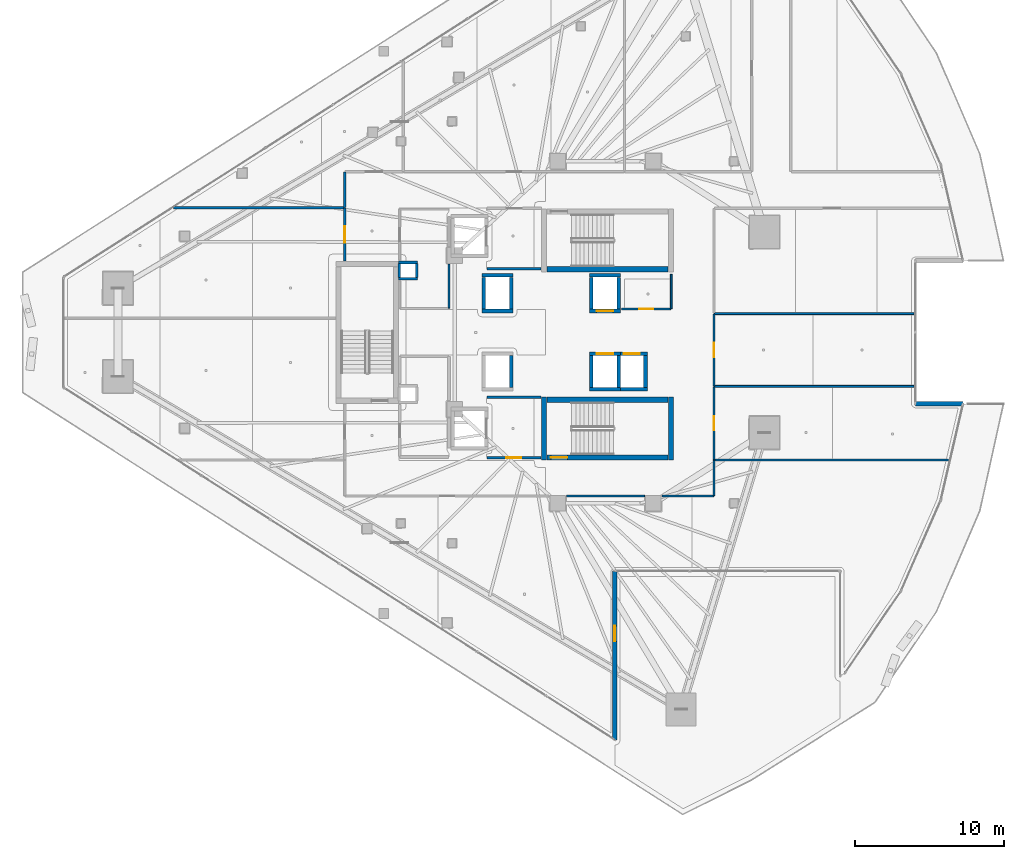
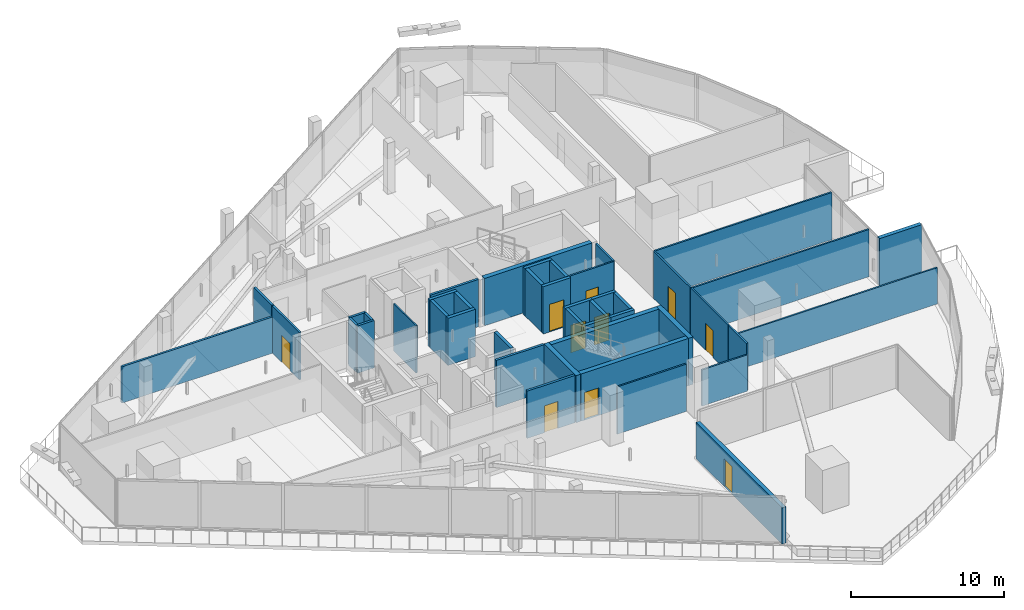
# One storey, part 31 of 43: 44 walls, 10 doors, 10 openings.
"""IFC4 building model written with IfcOpenShell, lengths in metres."""

from ifc_helpers import new_model, si_unit, direction, frame, frame_2d, origin, place, context, subcontext, project, spatial, rectangle, extrude, material, layer, layer_set, type_object, element, fill, save


model = new_model("IFC4")

# Units and contexts
model_context = context("Model", 3, precision=1e-05, world=origin(), true_north=direction((0.0, 1.0)))
body_context = subcontext(model_context, "Body", "Model", "MODEL_VIEW")
ifc_project = project(units=[si_unit("LENGTHUNIT", "METRE"), si_unit("AREAUNIT", "SQUARE_METRE"), si_unit("VOLUMEUNIT", "CUBIC_METRE"), si_unit("PLANEANGLEUNIT", "RADIAN"), si_unit("MASSUNIT", "GRAM", prefix="KILO")], contexts=[model_context])

# Site, building, storey
site_placement = place(None, origin())
site = spatial("IfcSite", under=ifc_project, at=site_placement, CompositionType="ELEMENT")
building_placement = place(site_placement, origin())
building = spatial("IfcBuilding", under=site, at=building_placement, Name="Qorvath Tower", CompositionType="ELEMENT")
storey_placement = place(building_placement, frame((0.0, 0.0, 150.300048828125)))
storey = spatial("IfcBuildingStorey", under=building, at=storey_placement, Name="L34", CompositionType="ELEMENT", Elevation=150.300048828125)

# Walls
ifc_material_1 = material(Name="Gypsum shaftliner on steel studs", Category="steel")
ifc_layer_1 = layer(ifc_material_1, 0.179931640625)
ifc_layer_set_1 = layer_set([ifc_layer_1], Name="FW-LOBBY")
wall_type_1 = type_object("IfcWallType", Name="FW-LOBBY", PredefinedType="PARTITIONING", material=ifc_layer_set_1)
for number, where, z_axis, x_axis, name in (
    (1, (-32.989990234375, 3.594970703125, 0.0), (0.0, 0.0, 1.0), (-1.0, 0.0, 0.0), "MEP Riser Shaft Enclosure Wall N-L34-S"),
    (2, (-34.260009765625, 4.675048828125, 0.0), (0.0, 0.0, 1.0), (1.0, 0.0, 0.0), "MEP Riser Shaft Enclosure Wall N-L34-N"),
):
    element("IfcWall", number, at=place(storey_placement, frame(where, z_axis=z_axis, x_axis=x_axis)), inside=storey, type_object=wall_type_1, Name=name, PredefinedType="PARTITIONING", context=body_context, shape_type="SweptSolid", body=[
        extrude(rectangle(XDim=1.27001953125, YDim=0.179931640625, at=frame_2d((0.635009765625, 0.0))), origin(), (0.0, 0.0, 1.0), 3.780029296875),
    ])
for number, where, z_axis, x_axis, name in (
    (3, (-34.205078125, 3.659912109375, 0.0), (0.0, 0.0, 1.0), (0.0, 1.0, 0.0), "MEP Riser Shaft Enclosure Wall N-L34-W"),
    (4, (-33.044921875, 4.610107421875, 0.0), (0.0, 0.0, 1.0), (0.0, -1.0, 0.0), "MEP Riser Shaft Enclosure Wall N-L34-E"),
):
    element("IfcWall", number, at=place(storey_placement, frame(where, z_axis=z_axis, x_axis=x_axis)), inside=storey, type_object=wall_type_1, Name=name, PredefinedType="PARTITIONING", context=body_context, shape_type="SweptSolid", body=[
        extrude(rectangle(XDim=0.9501953125, YDim=0.179931640625, at=frame_2d((0.47509765625, 0.0))), origin(), (0.0, 0.0, 1.0), 3.780029296875),
    ])
wall_1_placement = place(storey_placement, frame((-28.35498046875, 4.25, 0.0), z_axis=(0.0, 0.0, 1.0), x_axis=(1.0, 0.0, 0.0)))
element("IfcWall", 5, at=wall_1_placement, inside=storey, type_object=wall_type_1, Name="Interior Partition IW-T1-L34-001", PredefinedType="PARTITIONING", context=body_context, shape_type="SweptSolid", body=[
    extrude(rectangle(XDim=3.6220703125, YDim=0.179931640625, at=frame_2d((1.81103515625, 0.0))), origin(), (0.0, 0.0, 1.0), 3.780029296875),
])

# Wall, opening, door
wall_2_placement = place(storey_placement, frame((-28.35498046875, -8.39990234375, 0.0), z_axis=(0.0, 0.0, 1.0), x_axis=(1.0, 0.0, 0.0)))
wall_2 = element("IfcWall", 6, at=wall_2_placement, inside=storey, type_object=wall_type_1, Name="Interior Partition IW-T1-L34-003", PredefinedType="PARTITIONING", context=body_context, shape_type="SweptSolid", body=[
    extrude(rectangle(XDim=3.6220703125, YDim=0.179931640625, at=frame_2d((1.81103515625, 0.0))), origin(), (0.0, 0.0, 1.0), 3.780029296875),
])
opening_1_placement = place(wall_2_placement, frame((1.31103515625, 0.0, 0.0)))
opening_1 = element("IfcOpeningElement", 7, at=opening_1_placement, cuts=wall_2, Name="Opening D-T1-L34-14", PredefinedType="OPENING", context=body_context, shape_type="SweptSolid", body=[
    extrude(rectangle(XDim=1.0, YDim=2.14990234375, at=frame_2d((0.5, 1.074951171875))), frame((0.0, 0.10009765625, 0.0), z_axis=(0.0, -1.0, 0.0), x_axis=(1.0, 0.0, 0.0)), (0.0, 0.0, 1.0), 0.199951171875),
])
ifc_material_2 = material(Name="Painted galvanised hollow metal", Category="steel")
door_type_1 = type_object("IfcDoorType", Name="FD-60", OperationType="NOTDEFINED", PredefinedType="DOOR", material=ifc_material_2)
door_1_placement = place(opening_1_placement, origin())
door_1 = element("IfcDoor", 8, at=door_1_placement, inside=storey, type_object=door_type_1, Name="Lobby Fire Service Elevator South Door D-T1-L34-14", OperationType="SINGLE_SWING_LEFT", OverallHeight=2.14990234375, OverallWidth=1.0, PredefinedType="DOOR", context=body_context, shape_type="SweptSolid", body=[
    extrude(rectangle(XDim=1.0, YDim=2.14990234375, at=frame_2d((0.5, 1.074951171875))), frame((0.0, 0.02490234375, 0.0), z_axis=(0.0, -1.0, 0.0), x_axis=(1.0, 0.0, 0.0)), (0.0, 0.0, 1.0), 0.050048828125),
])
fill(opening_1, door_1)

# Walls
wall_3_placement = place(storey_placement, frame((-24.73291015625, -4.35009765625, 0.0), z_axis=(0.0, 0.0, 1.0), x_axis=(-1.0, 0.0, 0.0)))
element("IfcWall", 9, at=wall_3_placement, inside=storey, type_object=wall_type_1, Name="Interior Partition IW-T1-L34-004", PredefinedType="PARTITIONING", context=body_context, shape_type="SweptSolid", body=[
    extrude(rectangle(XDim=3.6220703125, YDim=0.179931640625, at=frame_2d((1.81103515625, 0.0))), origin(), (0.0, 0.0, 1.0), 3.780029296875),
])
ifc_material_3 = material(Name="Double acoustic gypsum board on steel studs", Category="steel")
ifc_layer_2 = layer(ifc_material_3, 0.159912109375)
ifc_layer_set_2 = layer_set([ifc_layer_2], Name="IW-ACOUSTIC-160")
wall_type_2 = type_object("IfcWallType", Name="IW-ACOUSTIC-160", PredefinedType="PARTITIONING", material=ifc_layer_set_2)
wall_4_placement = place(storey_placement, frame((-49.333251953125, 8.35009765625, 0.0), z_axis=(0.0, 0.0, 1.0), x_axis=(1.0, 0.0, 0.0)))
element("IfcWall", 10, at=wall_4_placement, inside=storey, type_object=wall_type_2, Name="Interior Partition IW-T1-L34-019", PredefinedType="PARTITIONING", context=body_context, shape_type="SweptSolid", body=[
    extrude(rectangle(XDim=11.450439453125, YDim=0.159912109375, at=frame_2d((5.72509765625, 0.0))), origin(), (0.0, 0.0, 1.0), 2.89990234375),
])
wall_5_placement = place(storey_placement, frame((-37.85791015625, 8.375, 0.0), z_axis=(0.0, 0.0, 1.0), x_axis=(0.0, 1.0, 0.0)))
element("IfcWall", 11, at=wall_5_placement, inside=storey, type_object=wall_type_2, Name="Interior Partition IW-T1-L34-020", PredefinedType="PARTITIONING", context=body_context, shape_type="SweptSolid", body=[
    extrude(rectangle(XDim=2.358154296875, YDim=0.159912109375, at=frame_2d((1.17919921875, 0.0))), origin(), (0.0, 0.0, 1.0), 3.780029296875),
])

# Wall, opening, door
wall_6_placement = place(storey_placement, frame((-37.85791015625, 4.783203125, 0.0), z_axis=(0.0, 0.0, 1.0), x_axis=(0.0, 1.0, 0.0)))
wall_6 = element("IfcWall", 12, at=wall_6_placement, inside=storey, type_object=wall_type_2, Name="Interior Partition IW-T1-L34-046", PredefinedType="PARTITIONING", context=body_context, shape_type="SweptSolid", body=[
    extrude(rectangle(XDim=3.53369140625, YDim=0.159912109375, at=frame_2d((1.766845703125, 0.0))), origin(), (0.0, 0.0, 1.0), 3.780029296875),
])
opening_2_placement = place(wall_6_placement, frame((1.216796875, 0.0, 0.0)))
opening_2 = element("IfcOpeningElement", 13, at=opening_2_placement, cuts=wall_6, Name="Opening D-T1-L34-12", PredefinedType="OPENING", context=body_context, shape_type="SweptSolid", body=[
    extrude(rectangle(XDim=1.10009765625, YDim=2.14990234375, at=frame_2d((0.550048828125, 1.074951171875))), frame((0.0, 0.08984375, 0.0), z_axis=(0.0, -1.0, 0.0), x_axis=(1.0, 0.0, 0.0)), (0.0, 0.0, 1.0), 0.179931640625),
])
ifc_material_4 = material(Name="Anodised aluminium acoustic framed glass", Category="aluminium")
door_type_2 = type_object("IfcDoorType", Name="D-03", OperationType="NOTDEFINED", PredefinedType="DOOR", material=ifc_material_4)
door_2_placement = place(opening_2_placement, origin())
door_2 = element("IfcDoor", 14, at=door_2_placement, inside=storey, type_object=door_type_2, Name="L34-09 Team Project Office Door D-T1-L34-12", OperationType="SINGLE_SWING_LEFT", OverallHeight=2.14990234375, OverallWidth=1.10009765625, PredefinedType="DOOR", context=body_context, shape_type="SweptSolid", body=[
    extrude(rectangle(XDim=1.10009765625, YDim=2.14990234375, at=frame_2d((0.550048828125, 1.074951171875))), frame((0.0, 0.02490234375, 0.0), z_axis=(0.0, -1.0, 0.0), x_axis=(1.0, 0.0, 0.0)), (0.0, 0.0, 1.0), 0.050048828125),
])
fill(opening_2, door_2)

ifc_material_5 = material(Name="Gypsum board on metal studs with mineral wool", Category="gypsum")
ifc_layer_3 = layer(ifc_material_5, 0.125)
ifc_layer_set_3 = layer_set([ifc_layer_3], Name="IW-PART-125")
wall_type_3 = type_object("IfcWallType", Name="IW-PART-125", PredefinedType="PARTITIONING", material=ifc_layer_set_3)
wall_7_placement = place(storey_placement, frame((-19.333740234375, 1.56005859375, 0.0), z_axis=(0.0, 0.0, 1.0), x_axis=(1.0, 0.0, 0.0)))
wall_7 = element("IfcWall", 15, at=wall_7_placement, inside=storey, type_object=wall_type_3, Name="Interior Partition IW-T1-L34-011", PredefinedType="PARTITIONING", context=body_context, shape_type="SweptSolid", body=[
    extrude(rectangle(XDim=3.308837890625, YDim=0.125, at=frame_2d((1.654296875, 0.0))), origin(), (0.0, 0.0, 1.0), 3.780029296875),
])
opening_3_placement = place(wall_7_placement, frame((1.179443359375, 0.0, 0.0)))
opening_3 = element("IfcOpeningElement", 16, at=opening_3_placement, cuts=wall_7, Name="Opening D-T1-L34-02", PredefinedType="OPENING", context=body_context, shape_type="SweptSolid", body=[
    extrude(rectangle(XDim=0.949951171875, YDim=2.14990234375, at=frame_2d((0.47509765625, 1.074951171875))), frame((0.0, 0.072509765625, 0.0), z_axis=(0.0, -1.0, 0.0), x_axis=(1.0, 0.0, 0.0)), (0.0, 0.0, 1.0), 0.14501953125),
])
ifc_material_6 = material(Name="Solid-core American white oak veneer", Category="wood")
door_type_3 = type_object("IfcDoorType", Name="D-01", OperationType="NOTDEFINED", PredefinedType="DOOR", material=ifc_material_6)
door_3_placement = place(opening_3_placement, origin())
door_3 = element("IfcDoor", 17, at=door_3_placement, inside=storey, type_object=door_type_3, Name="L34-RCN North Staff Refreshment Pantry Door D-T1-L34-02", OperationType="SINGLE_SWING_LEFT", OverallHeight=2.14990234375, OverallWidth=0.949951171875, PredefinedType="DOOR", context=body_context, shape_type="SweptSolid", body=[
    extrude(rectangle(XDim=0.949951171875, YDim=2.14990234375, at=frame_2d((0.47509765625, 1.074951171875))), frame((0.0, 0.02490234375, 0.0), z_axis=(0.0, -1.0, 0.0), x_axis=(1.0, 0.0, 0.0)), (0.0, 0.0, 1.0), 0.050048828125),
])
fill(opening_3, door_3)

# Walls
wall_8_placement = place(storey_placement, frame((-16.0, 1.585205078125, 0.0), z_axis=(0.0, 0.0, 1.0), x_axis=(0.0, 1.0, 0.0)))
element("IfcWall", 18, at=wall_8_placement, inside=storey, type_object=wall_type_3, Name="Interior Partition IW-T1-L34-012", PredefinedType="PARTITIONING", context=body_context, shape_type="SweptSolid", body=[
    extrude(rectangle(XDim=2.30224609375, YDim=0.125, at=frame_2d((1.151123046875, 0.0))), origin(), (0.0, 0.0, 1.0), 3.780029296875),
])
wall_9_placement = place(storey_placement, frame((2.5869140625, -8.550048828125, 0.0), z_axis=(0.0, 0.0, 1.0), x_axis=(-1.0, 0.0, 0.0)))
element("IfcWall", 19, at=wall_9_placement, inside=storey, type_object=wall_type_3, Name="Interior Partition IW-T1-L34-031", PredefinedType="PARTITIONING", context=body_context, shape_type="SweptSolid", body=[
    extrude(rectangle(XDim=15.7041015625, YDim=0.125, at=frame_2d((7.85205078125, 0.0))), origin(), (0.0, 0.0, 1.0), 2.89501953125),
])
wall_10_placement = place(storey_placement, frame((-13.14208984375, -10.93310546875, 0.0), z_axis=(0.0, 0.0, 1.0), x_axis=(0.0, 1.0, 0.0)))
element("IfcWall", 20, at=wall_10_placement, inside=storey, type_object=wall_type_3, Name="Interior Partition IW-T1-L34-032", PredefinedType="PARTITIONING", context=body_context, shape_type="SweptSolid", body=[
    extrude(rectangle(XDim=2.358154296875, YDim=0.125, at=frame_2d((1.17919921875, 0.0))), origin(), (0.0, 0.0, 1.0), 3.780029296875),
])
wall_11_placement = place(storey_placement, frame((-13.1669921875, -10.9580078125, 0.0), z_axis=(0.0, 0.0, 1.0), x_axis=(-1.0, 0.0, 0.0)))
element("IfcWall", 21, at=wall_11_placement, inside=storey, type_object=wall_type_3, Name="Interior Partition IW-T1-L34-033", PredefinedType="PARTITIONING", context=body_context, shape_type="SweptSolid", body=[
    extrude(rectangle(XDim=3.443115234375, YDim=0.125, at=frame_2d((1.7216796875, 0.0))), origin(), (0.0, 0.0, 1.0), 2.89501953125),
])
wall_12_placement = place(storey_placement, frame((-17.7900390625, -10.9580078125, 0.0), z_axis=(0.0, 0.0, 1.0), x_axis=(-1.0, 0.0, 0.0)))
element("IfcWall", 22, at=wall_12_placement, inside=storey, type_object=wall_type_3, Name="Interior Partition IW-T1-L34-034", PredefinedType="PARTITIONING", context=body_context, shape_type="SweptSolid", body=[
    extrude(rectangle(XDim=5.219970703125, YDim=0.125, at=frame_2d((2.60986328125, 0.0))), origin(), (0.0, 0.0, 1.0), 3.780029296875),
])
wall_13_placement = place(storey_placement, frame((0.259765625, -3.618896484375, 0.0), z_axis=(0.0, 0.0, 1.0), x_axis=(-1.0, 0.0, 0.0)))
element("IfcWall", 23, at=wall_13_placement, inside=storey, type_object=wall_type_3, Name="Interior Partition IW-T1-L34-038", PredefinedType="PARTITIONING", context=body_context, shape_type="SweptSolid", body=[
    extrude(rectangle(XDim=13.376953125, YDim=0.125, at=frame_2d((6.6884765625, 0.0))), origin(), (0.0, 0.0, 1.0), 3.780029296875),
])

# Wall, opening, door
wall_14_placement = place(storey_placement, frame((-13.14208984375, -3.643798828125, 0.0), z_axis=(0.0, 0.0, 1.0), x_axis=(0.0, -1.0, 0.0)))
wall_14 = element("IfcWall", 24, at=wall_14_placement, inside=storey, type_object=wall_type_3, Name="Interior Partition IW-T1-L34-039", PredefinedType="PARTITIONING", context=body_context, shape_type="SweptSolid", body=[
    extrude(rectangle(XDim=4.873291015625, YDim=0.125, at=frame_2d((2.4365234375, 0.0))), origin(), (0.0, 0.0, 1.0), 3.780029296875),
])
opening_4_placement = place(wall_14_placement, frame((1.961669921875, 0.0, 0.0)))
opening_4 = element("IfcOpeningElement", 25, at=opening_4_placement, cuts=wall_14, Name="Opening D-T1-L34-08", PredefinedType="OPENING", context=body_context, shape_type="SweptSolid", body=[
    extrude(rectangle(XDim=0.949951171875, YDim=2.14990234375, at=frame_2d((0.47509765625, 1.074951171875))), frame((0.0, 0.072509765625, 0.0), z_axis=(0.0, -1.0, 0.0), x_axis=(1.0, 0.0, 0.0)), (0.0, 0.0, 1.0), 0.14501953125),
])
door_4_placement = place(opening_4_placement, origin())
door_4 = element("IfcDoor", 26, at=door_4_placement, inside=storey, type_object=door_type_3, Name="L34-05 Executive Partner Office Door D-T1-L34-08", OperationType="SINGLE_SWING_LEFT", OverallHeight=2.14990234375, OverallWidth=0.949951171875, PredefinedType="DOOR", context=body_context, shape_type="SweptSolid", body=[
    extrude(rectangle(XDim=0.949951171875, YDim=2.14990234375, at=frame_2d((0.47509765625, 1.074951171875))), frame((0.0, 0.02490234375, 0.0), z_axis=(0.0, -1.0, 0.0), x_axis=(1.0, 0.0, 0.0)), (0.0, 0.0, 1.0), 0.050048828125),
])
fill(opening_4, door_4)

wall_15_placement = place(storey_placement, frame((-13.14208984375, 1.227294921875, 0.0), z_axis=(0.0, 0.0, 1.0), x_axis=(0.0, -1.0, 0.0)))
wall_15 = element("IfcWall", 27, at=wall_15_placement, inside=storey, type_object=wall_type_3, Name="Interior Partition IW-T1-L34-040", PredefinedType="PARTITIONING", context=body_context, shape_type="SweptSolid", body=[
    extrude(rectangle(XDim=4.81298828125, YDim=0.125, at=frame_2d((2.406494140625, 0.0))), origin(), (0.0, 0.0, 1.0), 3.780029296875),
])
opening_5_placement = place(wall_15_placement, frame((1.931396484375, 0.0, 0.0)))
opening_5 = element("IfcOpeningElement", 28, at=opening_5_placement, cuts=wall_15, Name="Opening D-T1-L34-09", PredefinedType="OPENING", context=body_context, shape_type="SweptSolid", body=[
    extrude(rectangle(XDim=0.949951171875, YDim=2.14990234375, at=frame_2d((0.47509765625, 1.074951171875))), frame((0.0, 0.072509765625, 0.0), z_axis=(0.0, -1.0, 0.0), x_axis=(1.0, 0.0, 0.0)), (0.0, 0.0, 1.0), 0.14501953125),
])
door_5_placement = place(opening_5_placement, origin())
door_5 = element("IfcDoor", 29, at=door_5_placement, inside=storey, type_object=door_type_3, Name="L34-06 Breakout Reading Alcove Door D-T1-L34-09", OperationType="SINGLE_SWING_RIGHT", OverallHeight=2.14990234375, OverallWidth=0.949951171875, PredefinedType="DOOR", context=body_context, shape_type="SweptSolid", body=[
    extrude(rectangle(XDim=0.949951171875, YDim=2.14990234375, at=frame_2d((0.47509765625, 1.074951171875))), frame((0.0, 0.02490234375, 0.0), z_axis=(0.0, -1.0, 0.0), x_axis=(1.0, 0.0, 0.0)), (0.0, 0.0, 1.0), 0.050048828125),
])
fill(opening_5, door_5)

# Walls
wall_16_placement = place(storey_placement, frame((0.259765625, 1.25244140625, 0.0), z_axis=(0.0, 0.0, 1.0), x_axis=(-1.0, 0.0, 0.0)))
element("IfcWall", 30, at=wall_16_placement, inside=storey, type_object=wall_type_3, Name="Interior Partition IW-T1-L34-041", PredefinedType="PARTITIONING", context=body_context, shape_type="SweptSolid", body=[
    extrude(rectangle(XDim=13.376953125, YDim=0.125, at=frame_2d((6.6884765625, 0.0))), origin(), (0.0, 0.0, 1.0), 3.780029296875),
])
ifc_material_7 = material(Name="Moisture-resistant cement board on metal studs", Category="gypsum")
ifc_layer_4 = layer(ifc_material_7, 0.110107421875)
ifc_layer_set_4 = layer_set([ifc_layer_4], Name="IW-WC-110")
wall_type_4 = type_object("IfcWallType", Name="IW-WC-110", PredefinedType="PARTITIONING", material=ifc_layer_set_4)
wall_17_placement = place(storey_placement, frame((-30.8798828125, 1.625, 0.0), z_axis=(0.0, 0.0, 1.0), x_axis=(0.0, 1.0, 0.0)))
element("IfcWall", 31, at=wall_17_placement, inside=storey, type_object=wall_type_4, Name="Interior Partition IW-T1-L34-006", PredefinedType="PARTITIONING", context=body_context, shape_type="SweptSolid", body=[
    extrude(rectangle(XDim=2.93505859375, YDim=0.110107421875, at=frame_2d((1.467529296875, 0.0))), origin(), (0.0, 0.0, 1.0), 3.780029296875),
])
ifc_material_8 = material(Name="Concrete C60/75", Category="concrete")
ifc_layer_5 = layer(ifc_material_8, 0.260009765625)
ifc_layer_set_5 = layer_set([ifc_layer_5], Name="SW-SHAFT")
wall_type_5 = type_object("IfcWallType", Name="SW-SHAFT", PredefinedType="SHEAR", material=ifc_layer_set_5)
for number, where, z_axis, x_axis, name in (
    (32, (-26.610107421875, 1.429931640625, 0.0), (0.0, 0.0, 1.0), (-1.0, 0.0, 0.0), "Hoistway Wall PS-1 L34 S"),
    (33, (-28.68994140625, 3.820068359375, 0.0), (0.0, 0.0, 1.0), (1.0, 0.0, 0.0), "Hoistway Wall PS-1 L34 N"),
):
    element("IfcWall", number, at=place(storey_placement, frame(where, z_axis=z_axis, x_axis=x_axis)), inside=storey, type_object=wall_type_5, Name=name, PredefinedType="SHEAR", context=body_context, shape_type="SweptSolid", body=[
        extrude(rectangle(XDim=2.079833984375, YDim=0.239990234375, at=frame_2d((1.0400390625, 0.0))), origin(), (0.0, 0.0, 1.0), 3.780029296875),
    ])
for number, where, z_axis, x_axis, name in (
    (34, (-28.570068359375, 1.56201171875, 0.0), (0.0, 0.0, 1.0), (0.0, 1.0, 0.0), "Hoistway Wall PS-1 L34 W"),
    (35, (-26.72998046875, 3.68798828125, 0.0), (0.0, 0.0, 1.0), (0.0, -1.0, 0.0), "Hoistway Wall PS-1 L34 E"),
):
    element("IfcWall", number, at=place(storey_placement, frame(where, z_axis=z_axis, x_axis=x_axis)), inside=storey, type_object=wall_type_5, Name=name, PredefinedType="SHEAR", context=body_context, shape_type="SweptSolid", body=[
        extrude(rectangle(XDim=2.1259765625, YDim=0.239990234375, at=frame_2d((1.06298828125, 0.0))), origin(), (0.0, 0.0, 1.0), 3.780029296875),
    ])

# Wall, opening, door
wall_18_placement = place(storey_placement, frame((-19.409912109375, 1.429931640625, 0.0), z_axis=(0.0, 0.0, 1.0), x_axis=(-1.0, 0.0, 0.0)))
wall_18 = element("IfcWall", 36, at=wall_18_placement, inside=storey, type_object=wall_type_5, Name="Hoistway Wall PM-1 L34 S", PredefinedType="SHEAR", context=body_context, shape_type="SweptSolid", body=[
    extrude(rectangle(XDim=2.080078125, YDim=0.239990234375, at=frame_2d((1.0400390625, 0.0))), origin(), (0.0, 0.0, 1.0), 3.780029296875),
])
opening_6_placement = place(wall_18_placement, frame((0.489990234375, 0.0, 0.0)))
opening_6 = element("IfcOpeningElement", 37, at=opening_6_placement, cuts=wall_18, Name="Opening LD-PM-1-L34", PredefinedType="OPENING", context=body_context, shape_type="SweptSolid", body=[
    extrude(rectangle(XDim=1.10009765625, YDim=2.199951171875, at=frame_2d((0.550048828125, 1.10009765625))), frame((0.0, 0.1298828125, 0.0), z_axis=(0.0, -1.0, 0.0), x_axis=(1.0, 0.0, 0.0)), (0.0, 0.0, 1.0), 0.260009765625),
])
ifc_material_9 = material(Name="Brushed stainless steel AISI 316", Category="steel")
door_type_4 = type_object("IfcDoorType", Name="LD-01", OperationType="NOTDEFINED", PredefinedType="DOOR", material=ifc_material_9)
door_6_placement = place(opening_6_placement, origin())
door_6 = element("IfcDoor", 38, at=door_6_placement, inside=storey, type_object=door_type_4, Name="Elevator Landing Sliding Door LD-PM-1-L34", OperationType="DOUBLE_DOOR_SLIDING", OverallHeight=2.199951171875, OverallWidth=1.10009765625, PredefinedType="DOOR", context=body_context, shape_type="SweptSolid", body=[
    extrude(rectangle(XDim=1.10009765625, YDim=2.199951171875, at=frame_2d((0.550048828125, 1.10009765625))), frame((0.0, 0.02490234375, 0.0), z_axis=(0.0, -1.0, 0.0), x_axis=(1.0, 0.0, 0.0)), (0.0, 0.0, 1.0), 0.050048828125),
])
fill(opening_6, door_6)

# Walls
wall_19_placement = place(storey_placement, frame((-21.489990234375, 3.820068359375, 0.0), z_axis=(0.0, 0.0, 1.0), x_axis=(1.0, 0.0, 0.0)))
element("IfcWall", 39, at=wall_19_placement, inside=storey, type_object=wall_type_5, Name="Hoistway Wall PM-1 L34 N", PredefinedType="SHEAR", context=body_context, shape_type="SweptSolid", body=[
    extrude(rectangle(XDim=2.080078125, YDim=0.239990234375, at=frame_2d((1.0400390625, 0.0))), origin(), (0.0, 0.0, 1.0), 3.780029296875),
])
for number, where, z_axis, x_axis, name in (
    (40, (-21.3701171875, 1.56201171875, 0.0), (0.0, 0.0, 1.0), (0.0, 1.0, 0.0), "Hoistway Wall PM-1 L34 W"),
    (41, (-19.530029296875, 3.68798828125, 0.0), (0.0, 0.0, 1.0), (0.0, -1.0, 0.0), "Hoistway Wall PM-1 L34 E"),
    (42, (-26.72998046875, -1.56201171875, 0.0), (0.0, 0.0, 1.0), (0.0, -1.0, 0.0), "Hoistway Wall PS-2 L34 E"),
):
    element("IfcWall", number, at=place(storey_placement, frame(where, z_axis=z_axis, x_axis=x_axis)), inside=storey, type_object=wall_type_5, Name=name, PredefinedType="SHEAR", context=body_context, shape_type="SweptSolid", body=[
        extrude(rectangle(XDim=2.1259765625, YDim=0.239990234375, at=frame_2d((1.06298828125, 0.0))), origin(), (0.0, 0.0, 1.0), 3.780029296875),
    ])
wall_20_placement = place(storey_placement, frame((-19.409912109375, -3.820068359375, 0.0), z_axis=(0.0, 0.0, 1.0), x_axis=(-1.0, 0.0, 0.0)))
element("IfcWall", 43, at=wall_20_placement, inside=storey, type_object=wall_type_5, Name="Hoistway Wall PM-2 L34 S", PredefinedType="SHEAR", context=body_context, shape_type="SweptSolid", body=[
    extrude(rectangle(XDim=2.080078125, YDim=0.239990234375, at=frame_2d((1.0400390625, 0.0))), origin(), (0.0, 0.0, 1.0), 3.780029296875),
])

# Wall, opening, door
wall_21_placement = place(storey_placement, frame((-21.489990234375, -1.429931640625, 0.0), z_axis=(0.0, 0.0, 1.0), x_axis=(1.0, 0.0, 0.0)))
wall_21 = element("IfcWall", 44, at=wall_21_placement, inside=storey, type_object=wall_type_5, Name="Hoistway Wall PM-2 L34 N", PredefinedType="SHEAR", context=body_context, shape_type="SweptSolid", body=[
    extrude(rectangle(XDim=2.080078125, YDim=0.239990234375, at=frame_2d((1.0400390625, 0.0))), origin(), (0.0, 0.0, 1.0), 3.780029296875),
])
opening_7_placement = place(wall_21_placement, frame((0.489990234375, 0.0, 0.0)))
opening_7 = element("IfcOpeningElement", 45, at=opening_7_placement, cuts=wall_21, Name="Opening LD-PM-2-L34", PredefinedType="OPENING", context=body_context, shape_type="SweptSolid", body=[
    extrude(rectangle(XDim=1.10009765625, YDim=2.199951171875, at=frame_2d((0.550048828125, 1.10009765625))), frame((0.0, 0.1298828125, 0.0), z_axis=(0.0, -1.0, 0.0), x_axis=(1.0, 0.0, 0.0)), (0.0, 0.0, 1.0), 0.260009765625),
])
door_7_placement = place(opening_7_placement, origin())
door_7 = element("IfcDoor", 46, at=door_7_placement, inside=storey, type_object=door_type_4, Name="Elevator Landing Sliding Door LD-PM-2-L34", OperationType="DOUBLE_DOOR_SLIDING", OverallHeight=2.199951171875, OverallWidth=1.10009765625, PredefinedType="DOOR", context=body_context, shape_type="SweptSolid", body=[
    extrude(rectangle(XDim=1.10009765625, YDim=2.199951171875, at=frame_2d((0.550048828125, 1.10009765625))), frame((0.0, 0.02490234375, 0.0), z_axis=(0.0, -1.0, 0.0), x_axis=(1.0, 0.0, 0.0)), (0.0, 0.0, 1.0), 0.050048828125),
])
fill(opening_7, door_7)

# Walls
for number, where, z_axis, x_axis, name in (
    (47, (-21.3701171875, -3.68798828125, 0.0), (0.0, 0.0, 1.0), (0.0, 1.0, 0.0), "Hoistway Wall PM-2 L34 W"),
    (48, (-19.530029296875, -1.56201171875, 0.0), (0.0, 0.0, 1.0), (0.0, -1.0, 0.0), "Hoistway Wall PM-2 L34 E"),
):
    element("IfcWall", number, at=place(storey_placement, frame(where, z_axis=z_axis, x_axis=x_axis)), inside=storey, type_object=wall_type_5, Name=name, PredefinedType="SHEAR", context=body_context, shape_type="SweptSolid", body=[
        extrude(rectangle(XDim=2.1259765625, YDim=0.239990234375, at=frame_2d((1.06298828125, 0.0))), origin(), (0.0, 0.0, 1.0), 3.780029296875),
    ])
wall_22_placement = place(storey_placement, frame((-17.610107421875, -3.820068359375, 0.0), z_axis=(0.0, 0.0, 1.0), x_axis=(-1.0, 0.0, 0.0)))
element("IfcWall", 49, at=wall_22_placement, inside=storey, type_object=wall_type_5, Name="Hoistway Wall PM-3 L34 S", PredefinedType="SHEAR", context=body_context, shape_type="SweptSolid", body=[
    extrude(rectangle(XDim=1.7998046875, YDim=0.239990234375, at=frame_2d((0.89990234375, 0.0))), origin(), (0.0, 0.0, 1.0), 3.780029296875),
])

# Wall, opening, door
wall_23_placement = place(storey_placement, frame((-19.409912109375, -1.429931640625, 0.0), z_axis=(0.0, 0.0, 1.0), x_axis=(1.0, 0.0, 0.0)))
wall_23 = element("IfcWall", 50, at=wall_23_placement, inside=storey, type_object=wall_type_5, Name="Hoistway Wall PM-3 L34 N", PredefinedType="SHEAR", context=body_context, shape_type="SweptSolid", body=[
    extrude(rectangle(XDim=1.7998046875, YDim=0.239990234375, at=frame_2d((0.89990234375, 0.0))), origin(), (0.0, 0.0, 1.0), 3.780029296875),
])
opening_8_placement = place(wall_23_placement, frame((0.2099609375, 0.0, 0.0)))
opening_8 = element("IfcOpeningElement", 51, at=opening_8_placement, cuts=wall_23, Name="Opening LD-PM-3-L34", PredefinedType="OPENING", context=body_context, shape_type="SweptSolid", body=[
    extrude(rectangle(XDim=1.10009765625, YDim=2.199951171875, at=frame_2d((0.550048828125, 1.10009765625))), frame((0.0, 0.1298828125, 0.0), z_axis=(0.0, -1.0, 0.0), x_axis=(1.0, 0.0, 0.0)), (0.0, 0.0, 1.0), 0.260009765625),
])
door_8_placement = place(opening_8_placement, origin())
door_8 = element("IfcDoor", 52, at=door_8_placement, inside=storey, type_object=door_type_4, Name="Elevator Landing Sliding Door LD-PM-3-L34", OperationType="DOUBLE_DOOR_SLIDING", OverallHeight=2.199951171875, OverallWidth=1.10009765625, PredefinedType="DOOR", context=body_context, shape_type="SweptSolid", body=[
    extrude(rectangle(XDim=1.10009765625, YDim=2.199951171875, at=frame_2d((0.550048828125, 1.10009765625))), frame((0.0, 0.02490234375, 0.0), z_axis=(0.0, -1.0, 0.0), x_axis=(1.0, 0.0, 0.0)), (0.0, 0.0, 1.0), 0.050048828125),
])
fill(opening_8, door_8)

# Walls
wall_24_placement = place(storey_placement, frame((-17.72998046875, -1.56201171875, 0.0), z_axis=(0.0, 0.0, 1.0), x_axis=(0.0, -1.0, 0.0)))
element("IfcWall", 53, at=wall_24_placement, inside=storey, type_object=wall_type_5, Name="Hoistway Wall PM-3 L34 E", PredefinedType="SHEAR", context=body_context, shape_type="SweptSolid", body=[
    extrude(rectangle(XDim=2.1259765625, YDim=0.239990234375, at=frame_2d((1.06298828125, 0.0))), origin(), (0.0, 0.0, 1.0), 3.780029296875),
])
ifc_material_10 = material(Name="Concrete C60/75", Category="concrete")
ifc_layer_6 = layer(ifc_material_10, 0.35009765625)
ifc_layer_set_6 = layer_set([ifc_layer_6], Name="SW-STAIR")
wall_type_6 = type_object("IfcWallType", Name="SW-STAIR", PredefinedType="SHEAR", material=ifc_layer_set_6)
wall_25_placement = place(storey_placement, frame((-24.3349609375, 4.22509765625, 0.0), z_axis=(0.0, 0.0, 1.0), x_axis=(1.0, 0.0, 0.0)))
element("IfcWall", 54, at=wall_25_placement, inside=storey, type_object=wall_type_6, Name="Stair TS1 Shear Wall L34 LEFT", PredefinedType="SHEAR", context=body_context, shape_type="SweptSolid", body=[
    extrude(rectangle(XDim=8.119873046875, YDim=0.35009765625, at=frame_2d((4.06005859375, 0.0))), origin(), (0.0, 0.0, 1.0), 3.780029296875),
])
for number, where, z_axis, x_axis, name in (
    (55, (-24.52490234375, -4.340087890625, 0.0), (0.0, 0.0, 1.0), (0.0, -1.0, 0.0), "Stair TS2 Shear Wall L34 NEAR"),
    (56, (-16.02490234375, -8.550048828125, 0.0), (0.0, 0.0, 1.0), (0.0, 1.0, 0.0), "Stair TS2 Shear Wall L34 FAR"),
):
    element("IfcWall", number, at=place(storey_placement, frame(where, z_axis=z_axis, x_axis=x_axis)), inside=storey, type_object=wall_type_6, Name=name, PredefinedType="SHEAR", context=body_context, shape_type="SweptSolid", body=[
        extrude(rectangle(XDim=4.2099609375, YDim=0.35009765625, at=frame_2d((2.10498046875, 0.0))), origin(), (0.0, 0.0, 1.0), 3.780029296875),
    ])

# Wall, opening, door
wall_26_placement = place(storey_placement, frame((-24.3349609375, -8.375, 0.0), z_axis=(0.0, 0.0, 1.0), x_axis=(1.0, 0.0, 0.0)))
wall_26 = element("IfcWall", 57, at=wall_26_placement, inside=storey, type_object=wall_type_6, Name="Stair TS2 Shear Wall L34 LEFT", PredefinedType="SHEAR", context=body_context, shape_type="SweptSolid", body=[
    extrude(rectangle(XDim=8.119873046875, YDim=0.35009765625, at=frame_2d((4.06005859375, 0.0))), origin(), (0.0, 0.0, 1.0), 3.780029296875),
])
opening_9_placement = place(wall_26_placement, frame((0.280029296875, 0.0, 0.0)))
opening_9 = element("IfcOpeningElement", 58, at=opening_9_placement, cuts=wall_26, Name="Opening D-TS2-L34", PredefinedType="OPENING", context=body_context, shape_type="SweptSolid", body=[
    extrude(rectangle(XDim=1.10009765625, YDim=2.199951171875, at=frame_2d((0.550048828125, 1.10009765625))), frame((0.0, 0.18505859375, 0.0), z_axis=(0.0, -1.0, 0.0), x_axis=(1.0, 0.0, 0.0)), (0.0, 0.0, 1.0), 0.3701171875),
])
ifc_material_11 = material(Name="Painted galvanised hollow metal", Category="steel")
door_type_5 = type_object("IfcDoorType", Name="FD-90", OperationType="NOTDEFINED", PredefinedType="DOOR", material=ifc_material_11)
door_9_placement = place(opening_9_placement, origin())
door_9 = element("IfcDoor", 59, at=door_9_placement, inside=storey, type_object=door_type_5, Name="Stair TS2 Fire Door L34", OperationType="SINGLE_SWING_LEFT", OverallHeight=2.199951171875, OverallWidth=1.10009765625, PredefinedType="DOOR", context=body_context, shape_type="SweptSolid", body=[
    extrude(rectangle(XDim=1.10009765625, YDim=2.199951171875, at=frame_2d((0.550048828125, 1.10009765625))), frame((0.0, 0.02490234375, 0.0), z_axis=(0.0, -1.0, 0.0), x_axis=(1.0, 0.0, 0.0)), (0.0, 0.0, 1.0), 0.050048828125),
])
fill(opening_9, door_9)

# Wall
wall_27_placement = place(storey_placement, frame((-16.215087890625, -4.514892578125, 0.0), z_axis=(0.0, 0.0, 1.0), x_axis=(-1.0, 0.0, 0.0)))
element("IfcWall", 60, at=wall_27_placement, inside=storey, type_object=wall_type_6, Name="Stair TS2 Shear Wall L34 RIGHT", PredefinedType="SHEAR", context=body_context, shape_type="SweptSolid", body=[
    extrude(rectangle(XDim=8.119873046875, YDim=0.35009765625, at=frame_2d((4.06005859375, 0.0))), origin(), (0.0, 0.0, 1.0), 3.780029296875),
])

# Wall, opening, door
ifc_material_12 = material(Name="Precast concrete C45/55", Category="concrete")
ifc_layer_7 = layer(ifc_material_12, 0.300048828125)
ifc_layer_set_7 = layer_set([ifc_layer_7], Name="WL-EW-LOG-300")
wall_type_7 = type_object("IfcWallType", Name="WL-EW-LOG-300", PredefinedType="SOLIDWALL", material=ifc_layer_set_7)
wall_28_placement = place(storey_placement, frame((-19.783935546875, -15.98388671875, 0.0), z_axis=(0.0, 0.0, 1.0), x_axis=(0.0, -1.0, 0.0)))
wall_28 = element("IfcWall", 61, at=wall_28_placement, inside=storey, type_object=wall_type_7, Name="Tower Precast Loggia Wall L34-1.1", PredefinedType="SOLIDWALL", context=body_context, shape_type="SweptSolid", body=[
    extrude(rectangle(XDim=11.30322265625, YDim=0.300048828125, at=frame_2d((5.651611328125, 0.0))), origin(), (0.0, 0.0, 1.0), 2.89501953125),
])
opening_10_placement = place(wall_28_placement, frame((3.661865234375, 0.0, 0.0)))
opening_10 = element("IfcOpeningElement", 62, at=opening_10_placement, cuts=wall_28, Name="Opening ED-L34-01", PredefinedType="OPENING", context=body_context, shape_type="SweptSolid", body=[
    extrude(rectangle(XDim=1.050048828125, YDim=2.199951171875, at=frame_2d((0.52490234375, 1.10009765625))), frame((0.0, 0.16015625, 0.0), z_axis=(0.0, -1.0, 0.0), x_axis=(1.0, 0.0, 0.0)), (0.0, 0.0, 1.0), 0.320068359375),
])
ifc_material_13 = material(Name="Thermally broken aluminium glazed door", Category="aluminium")
door_type_6 = type_object("IfcDoorType", Name="ED-LOG", OperationType="NOTDEFINED", PredefinedType="DOOR", material=ifc_material_13)
door_10_placement = place(opening_10_placement, origin())
door_10 = element("IfcDoor", 63, at=door_10_placement, inside=storey, type_object=door_type_6, Name="L34 Recessed Loggia Access Door 1", OperationType="SINGLE_SWING_RIGHT", OverallHeight=2.199951171875, OverallWidth=1.050048828125, PredefinedType="DOOR", context=body_context, shape_type="SweptSolid", body=[
    extrude(rectangle(XDim=1.050048828125, YDim=2.199951171875, at=frame_2d((0.52490234375, 1.10009765625))), frame((0.0, 0.02490234375, 0.0), z_axis=(0.0, -1.0, 0.0), x_axis=(1.0, 0.0, 0.0)), (0.0, 0.0, 1.0), 0.050048828125),
])
fill(opening_10, door_10)

# Wall
wall_29_placement = place(storey_placement, frame((3.53662109375, -4.795166015625, 0.0), z_axis=(0.0, 0.0, 1.0), x_axis=(-1.0, 0.0, 0.0)))
element("IfcWall", 64, at=wall_29_placement, inside=storey, type_object=wall_type_7, Name="Tower Precast Loggia Wall L34-8.1", PredefinedType="SOLIDWALL", context=body_context, shape_type="SweptSolid", body=[
    extrude(rectangle(XDim=3.19677734375, YDim=0.300048828125, at=frame_2d((1.598388671875, 0.0))), origin(), (0.0, 0.0, 1.0), 3.780029296875),
])

save(model, "model.ifc")
